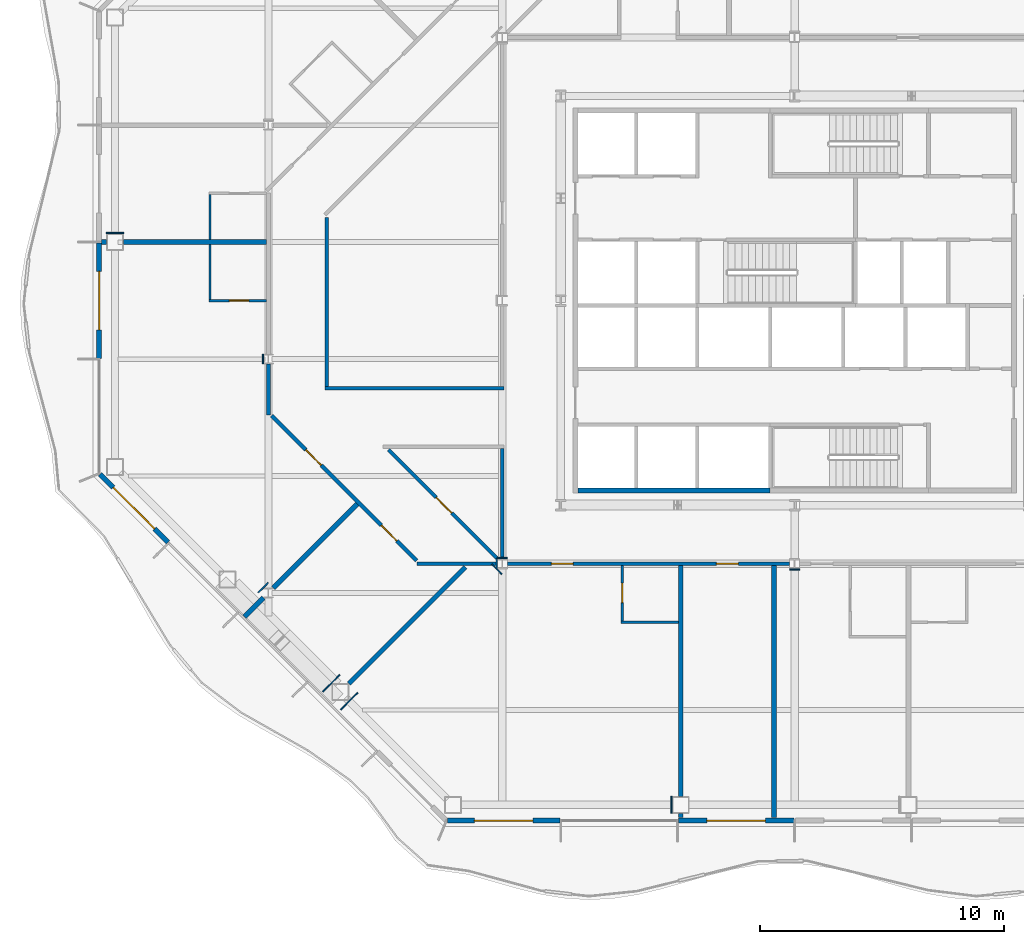
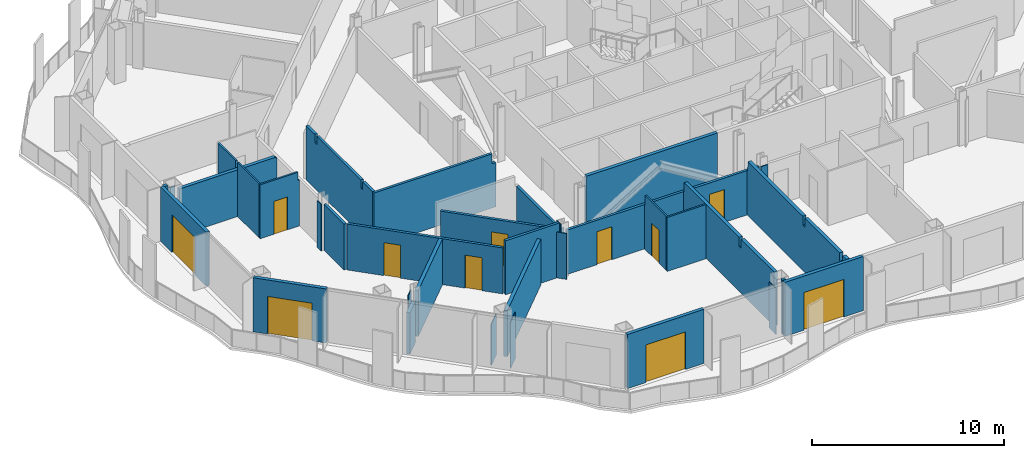
# One storey, part 7 of 21: 36 walls, 11 doors, 11 openings.
"""IFC4 building model written with IfcOpenShell, lengths in metres."""

from ifc_helpers import new_model, si_unit, direction, frame, frame_2d, origin, place, context, subcontext, project, spatial, polyline, rectangle, outline, extrude, material, layer, layer_set, type_object, element, fill, save


model = new_model("IFC4")

# Units and contexts
model_context = context("Model", 3, precision=1e-05, world=origin(), true_north=direction((0.0, 1.0)))
body_context = subcontext(model_context, "Body", "Model", "MODEL_VIEW")
ifc_project = project(units=[si_unit("LENGTHUNIT", "METRE"), si_unit("AREAUNIT", "SQUARE_METRE"), si_unit("VOLUMEUNIT", "CUBIC_METRE"), si_unit("PLANEANGLEUNIT", "RADIAN"), si_unit("MASSUNIT", "GRAM", prefix="KILO")], contexts=[model_context])

# Site, building, storey
site_placement = place(None, origin())
site = spatial("IfcSite", under=ifc_project, at=site_placement, CompositionType="ELEMENT")
building_placement = place(site_placement, origin())
building = spatial("IfcBuilding", under=site, at=building_placement, Name="Cairn Pilgrim Tower", CompositionType="ELEMENT")
storey_placement = place(building_placement, frame((0.0, 0.0, 129.0)))
storey = spatial("IfcBuildingStorey", under=building, at=storey_placement, Name="L31", CompositionType="ELEMENT", Elevation=129.0)

# Wall, opening, door
ifc_material_1 = material(Name="Bronze anodised aluminium insulated sandwich panel with mineral wool fill", Category="aluminium")
ifc_layer_1 = layer(ifc_material_1, 0.199951171875)
ifc_layer_set_1 = layer_set([ifc_layer_1], Name="BRONZE INFILL FRAME WALL 200")
wall_type_1 = type_object("IfcWallType", Name="BRONZE INFILL FRAME WALL 200", PredefinedType="NOTDEFINED", material=ifc_layer_set_1)
wall_1_placement = place(storey_placement, frame((-7.056396484375, -18.949951171875, 0.0), z_axis=(0.0, 0.0, 1.0), x_axis=(1.0, 0.0, 0.0)))
wall_1 = element("IfcWall", 1, at=wall_1_placement, inside=storey, type_object=wall_type_1, Name="Bronze infill frame wall IW-S1", PredefinedType="NOTDEFINED", context=body_context, shape_type="SweptSolid", body=[
    extrude(rectangle(XDim=4.62646484375, YDim=0.199951171875, at=frame_2d((2.313232421875, 0.0))), origin(), (0.0, 0.0, 1.0), 3.449951171875),
])
opening_1_placement = place(wall_1_placement, frame((1.1083984375, 0.0, 0.0)))
opening_1 = element("IfcOpeningElement", 2, at=opening_1_placement, cuts=wall_1, Name="Opening 3116B2", PredefinedType="OPENING", context=body_context, shape_type="SweptSolid", body=[
    extrude(rectangle(XDim=2.39990234375, YDim=2.39990234375, at=frame_2d((1.199951171875, 1.199951171875))), frame((0.0, 0.10986328125, 0.0), z_axis=(0.0, -1.0, 0.0), x_axis=(1.0, 0.0, 0.0)), (0.0, 0.0, 1.0), 0.219970703125),
])
ifc_material_2 = material(Name="Bronze anodised aluminium frame with tinted low-E glass", Category="aluminium")
door_type_1 = type_object("IfcDoorType", Name="BALCONY SLIDING DOOR 2400x2400", OperationType="DOUBLE_DOOR_SLIDING", PredefinedType="DOOR", material=ifc_material_2)
door_1_placement = place(opening_1_placement, origin())
door_1 = element("IfcDoor", 3, at=door_1_placement, inside=storey, type_object=door_type_1, Name="Balcony sliding door 3116B2", OperationType="SINGLE_SWING_LEFT", OverallHeight=2.39990234375, OverallWidth=2.39990234375, PredefinedType="DOOR", context=body_context, shape_type="SweptSolid", body=[
    extrude(rectangle(XDim=2.39990234375, YDim=2.39990234375, at=frame_2d((1.199951171875, 1.199951171875))), frame((0.0, 0.02490234375, 0.0), z_axis=(0.0, -1.0, 0.0), x_axis=(1.0, 0.0, 0.0)), (0.0, 0.0, 1.0), 0.050048828125),
])
fill(opening_1, door_1)

wall_2_placement = place(storey_placement, frame((2.429931640625, -18.949951171875, 0.0), z_axis=(0.0, 0.0, 1.0), x_axis=(1.0, 0.0, 0.0)))
wall_2 = element("IfcWall", 4, at=wall_2_placement, inside=storey, type_object=wall_type_1, Name="Bronze infill frame wall IW-S3", PredefinedType="NOTDEFINED", context=body_context, shape_type="SweptSolid", body=[
    extrude(rectangle(XDim=4.739990234375, YDim=0.199951171875, at=frame_2d((2.3701171875, 0.0))), origin(), (0.0, 0.0, 1.0), 3.449951171875),
])
opening_2_placement = place(wall_2_placement, frame((1.17041015625, 0.0, 0.0)))
opening_2 = element("IfcOpeningElement", 5, at=opening_2_placement, cuts=wall_2, Name="Opening 3117B", PredefinedType="OPENING", context=body_context, shape_type="SweptSolid", body=[
    extrude(rectangle(XDim=2.39990234375, YDim=2.39990234375, at=frame_2d((1.199951171875, 1.199951171875))), frame((0.0, 0.10986328125, 0.0), z_axis=(0.0, -1.0, 0.0), x_axis=(1.0, 0.0, 0.0)), (0.0, 0.0, 1.0), 0.219970703125),
])
door_2_placement = place(opening_2_placement, origin())
door_2 = element("IfcDoor", 6, at=door_2_placement, inside=storey, type_object=door_type_1, Name="Balcony sliding door 3117B", OperationType="SINGLE_SWING_LEFT", OverallHeight=2.39990234375, OverallWidth=2.39990234375, PredefinedType="DOOR", context=body_context, shape_type="SweptSolid", body=[
    extrude(rectangle(XDim=2.39990234375, YDim=2.39990234375, at=frame_2d((1.199951171875, 1.199951171875))), frame((0.0, 0.02490234375, 0.0), z_axis=(0.0, -1.0, 0.0), x_axis=(1.0, 0.0, 0.0)), (0.0, 0.0, 1.0), 0.050048828125),
])
fill(opening_2, door_2)

wall_3_placement = place(storey_placement, frame((-21.35009765625, 4.77001953125, 0.0), z_axis=(0.0, 0.0, 1.0), x_axis=(0.0, -1.0, 0.0)))
wall_3 = element("IfcWall", 7, at=wall_3_placement, inside=storey, type_object=wall_type_1, Name="Bronze infill frame wall IW-W3", PredefinedType="NOTDEFINED", context=body_context, shape_type="SweptSolid", body=[
    extrude(rectangle(XDim=4.739990234375, YDim=0.199951171875, at=frame_2d((2.3701171875, 0.0))), origin(), (0.0, 0.0, 1.0), 3.449951171875),
])
opening_3_placement = place(wall_3_placement, frame((1.169921875, 0.0, 0.0)))
opening_3 = element("IfcOpeningElement", 8, at=opening_3_placement, cuts=wall_3, Name="Opening 3114B", PredefinedType="OPENING", context=body_context, shape_type="SweptSolid", body=[
    extrude(rectangle(XDim=2.39990234375, YDim=2.39990234375, at=frame_2d((1.199951171875, 1.199951171875))), frame((0.0, 0.10986328125, 0.0), z_axis=(0.0, -1.0, 0.0), x_axis=(1.0, 0.0, 0.0)), (0.0, 0.0, 1.0), 0.219970703125),
])
door_3_placement = place(opening_3_placement, origin())
door_3 = element("IfcDoor", 9, at=door_3_placement, inside=storey, type_object=door_type_1, Name="Balcony sliding door 3114B", OperationType="SINGLE_SWING_LEFT", OverallHeight=2.39990234375, OverallWidth=2.39990234375, PredefinedType="DOOR", context=body_context, shape_type="SweptSolid", body=[
    extrude(rectangle(XDim=2.39990234375, YDim=2.39990234375, at=frame_2d((1.199951171875, 1.199951171875))), frame((0.0, 0.02490234375, 0.0), z_axis=(0.0, -1.0, 0.0), x_axis=(1.0, 0.0, 0.0)), (0.0, 0.0, 1.0), 0.050048828125),
])
fill(opening_3, door_3)

wall_4_placement = place(storey_placement, frame((-21.32177734375, -4.724609375, 0.0), z_axis=(0.0, 0.0, 1.0), x_axis=(0.707106781187, -0.707106781187, 0.0)))
wall_4 = element("IfcWall", 10, at=wall_4_placement, inside=storey, type_object=wall_type_1, Name="Bronze infill frame wall IW-SW1", PredefinedType="NOTDEFINED", context=body_context, shape_type="SweptSolid", body=[
    extrude(rectangle(XDim=3.961669921875, YDim=0.199951171875, at=frame_2d((1.98095703125, 0.0))), origin(), (0.0, 0.0, 1.0), 3.449951171875),
])
opening_4_placement = place(wall_4_placement, frame((0.775390625, 0.0, 0.0)))
opening_4 = element("IfcOpeningElement", 11, at=opening_4_placement, cuts=wall_4, Name="Opening 3114B2", PredefinedType="OPENING", context=body_context, shape_type="SweptSolid", body=[
    extrude(rectangle(XDim=2.39990234375, YDim=2.39990234375, at=frame_2d((1.199951171875, 1.199951171875))), frame((0.0, 0.10986328125, 0.0), z_axis=(0.0, -1.0, 0.0), x_axis=(1.0, 0.0, 0.0)), (0.0, 0.0, 1.0), 0.219970703125),
])
door_4_placement = place(opening_4_placement, origin())
door_4 = element("IfcDoor", 12, at=door_4_placement, inside=storey, type_object=door_type_1, Name="Balcony sliding door 3114B2", OperationType="SINGLE_SWING_LEFT", OverallHeight=2.39990234375, OverallWidth=2.39990234375, PredefinedType="DOOR", context=body_context, shape_type="SweptSolid", body=[
    extrude(rectangle(XDim=2.39990234375, YDim=2.39990234375, at=frame_2d((1.199951171875, 1.199951171875))), frame((0.0, 0.02490234375, 0.0), z_axis=(0.0, -1.0, 0.0), x_axis=(1.0, 0.0, 0.0)), (0.0, 0.0, 1.0), 0.050048828125),
])
fill(opening_4, door_4)

# Walls
ifc_material_3 = material(Name="Concrete C32/40", Category="concrete")
ifc_layer_2 = layer(ifc_material_3, 0.199951171875)
ifc_layer_set_2 = layer_set([ifc_layer_2], Name="CORE OUTER WALL 200 EI 120")
wall_type_2 = type_object("IfcWallType", Name="CORE OUTER WALL 200 EI 120", PredefinedType="SOLIDWALL", material=ifc_layer_set_2)
wall_5_placement = place(storey_placement, frame((-1.699951171875, -5.39990234375, 0.0), z_axis=(0.0, 0.0, 1.0), x_axis=(1.0, 0.0, 0.0)))
element("IfcWall", 13, at=wall_5_placement, inside=storey, type_object=wall_type_2, Name="CW:L31:H01-1", PredefinedType="SOLIDWALL", context=body_context, shape_type="SweptSolid", body=[
    extrude(rectangle(XDim=7.89990234375, YDim=0.199951171875, at=frame_2d((3.949951171875, 0.0))), origin(), (0.0, 0.0, 1.0), 3.449951171875),
])
ifc_material_4 = material(Name="Gypsum partition")
ifc_layer_3 = layer(ifc_material_4, 0.10009765625)
ifc_layer_set_3 = layer_set([ifc_layer_3], Name="PARTITION 100 DRYWALL")
wall_type_3 = type_object("IfcWallType", Name="PARTITION 100 DRYWALL", PredefinedType="PARTITIONING", material=ifc_layer_set_3)
wall_6_placement = place(storey_placement, frame((0.073974609375, -10.800048828125, 0.0), z_axis=(0.0, 0.0, 1.0), x_axis=(1.0, 0.0, 0.0)))
element("IfcWall", 14, at=wall_6_placement, inside=storey, type_object=wall_type_3, Name="PARTITION W010", PredefinedType="PARTITIONING", context=body_context, shape_type="SweptSolid", body=[
    extrude(rectangle(XDim=2.35009765625, YDim=0.10009765625, at=frame_2d((1.175048828125, 0.0))), origin(), (0.0, 0.0, 1.0), 3.449951171875),
])

# Wall, opening, door
wall_7_placement = place(storey_placement, frame((0.1240234375, -10.75, 0.0), z_axis=(0.0, 0.0, 1.0), x_axis=(0.0, 1.0, 0.0)))
wall_7 = element("IfcWall", 15, at=wall_7_placement, inside=storey, type_object=wall_type_3, Name="PARTITION W011", PredefinedType="PARTITIONING", context=body_context, shape_type="SweptSolid", body=[
    extrude(outline(polyline([(0.0, 0.0), (2.27490234375, 0.0), (2.27490234375, 2.830078125), (2.199951171875, 2.830078125), (2.197998046875, 3.449951171875), (0.0, 3.449951171875), (0.0, 0.0)])), frame((0.0, 0.050048828125, 0.0), z_axis=(0.0, -1.0, 0.0), x_axis=(1.0, 0.0, 0.0)), (0.0, 0.0, 1.0), 0.10009765625),
])
opening_5_placement = place(wall_7_placement, frame((0.75, 0.0, 0.0)))
opening_5 = element("IfcOpeningElement", 16, at=opening_5_placement, cuts=wall_7, Name="Opening 3116A", PredefinedType="OPENING", context=body_context, shape_type="SweptSolid", body=[
    extrude(rectangle(XDim=0.800048828125, YDim=2.10009765625, at=frame_2d((0.39990234375, 1.050048828125))), frame((0.0, 0.06005859375, 0.0), z_axis=(0.0, -1.0, 0.0), x_axis=(1.0, 0.0, 0.0)), (0.0, 0.0, 1.0), 0.1201171875),
])
ifc_material_5 = material(Name="Timber door leaf", Category="wood")
door_type_2 = type_object("IfcDoorType", Name="WC DOOR 800x2100", OperationType="NOTDEFINED", PredefinedType="DOOR", material=ifc_material_5)
door_5_placement = place(opening_5_placement, origin())
door_5 = element("IfcDoor", 17, at=door_5_placement, inside=storey, type_object=door_type_2, Name="DOOR 3116A", OperationType="SINGLE_SWING_RIGHT", OverallHeight=2.10009765625, OverallWidth=0.800048828125, PredefinedType="DOOR", context=body_context, shape_type="SweptSolid", body=[
    extrude(rectangle(XDim=0.800048828125, YDim=2.10009765625, at=frame_2d((0.39990234375, 1.050048828125))), frame((0.0, 0.02490234375, 0.0), z_axis=(0.0, -1.0, 0.0), x_axis=(1.0, 0.0, 0.0)), (0.0, 0.0, 1.0), 0.050048828125),
])
fill(opening_5, door_5)

wall_8_placement = place(storey_placement, frame((-16.85009765625, 2.39990234375, 0.0), z_axis=(0.0, 0.0, 1.0), x_axis=(1.0, 0.0, 0.0)))
wall_8 = element("IfcWall", 18, at=wall_8_placement, inside=storey, type_object=wall_type_3, Name="PARTITION W044", PredefinedType="PARTITIONING", context=body_context, shape_type="SweptSolid", body=[
    extrude(outline(polyline([(0.0, 0.0), (2.375, 0.0), (2.375, 2.929931640625), (2.300048828125, 2.929931640625), (2.298095703125, 3.449951171875), (0.0, 3.449951171875), (0.0, 0.0)])), frame((0.0, 0.050048828125, 0.0), z_axis=(0.0, -1.0, 0.0), x_axis=(1.0, 0.0, 0.0)), (0.0, 0.0, 1.0), 0.10009765625),
])
opening_6_placement = place(wall_8_placement, frame((0.85009765625, 0.0, 0.0)))
opening_6 = element("IfcOpeningElement", 19, at=opening_6_placement, cuts=wall_8, Name="Opening 3114A", PredefinedType="OPENING", context=body_context, shape_type="SweptSolid", body=[
    extrude(rectangle(XDim=0.800048828125, YDim=2.10009765625, at=frame_2d((0.39990234375, 1.050048828125))), frame((0.0, 0.06005859375, 0.0), z_axis=(0.0, -1.0, 0.0), x_axis=(1.0, 0.0, 0.0)), (0.0, 0.0, 1.0), 0.1201171875),
])
door_6_placement = place(opening_6_placement, frame((0.800048828125, 0.0, 0.0), z_axis=(0.0, 0.0, 1.0), x_axis=(-1.0, 0.0, 0.0)))
door_6 = element("IfcDoor", 20, at=door_6_placement, inside=storey, type_object=door_type_2, Name="DOOR 3114A", OperationType="SINGLE_SWING_RIGHT", OverallHeight=2.10009765625, OverallWidth=0.800048828125, PredefinedType="DOOR", context=body_context, shape_type="SweptSolid", body=[
    extrude(rectangle(XDim=0.800048828125, YDim=2.10009765625, at=frame_2d((0.39990234375, 1.050048828125))), frame((0.0, 0.02490234375, 0.0), z_axis=(0.0, -1.0, 0.0), x_axis=(1.0, 0.0, 0.0)), (0.0, 0.0, 1.0), 0.050048828125),
])
fill(opening_6, door_6)

# Walls
wall_9_placement = place(storey_placement, frame((-16.800048828125, 2.449951171875, 0.0), z_axis=(0.0, 0.0, 1.0), x_axis=(0.0, 1.0, 0.0)))
element("IfcWall", 21, at=wall_9_placement, inside=storey, type_object=wall_type_3, Name="PARTITION W045", PredefinedType="PARTITIONING", context=body_context, shape_type="SweptSolid", body=[
    extrude(rectangle(XDim=2.25, YDim=0.10009765625, at=frame_2d((1.125, 0.0))), origin(), (0.0, 0.0, 1.0), 3.449951171875),
])
wall_10_placement = place(storey_placement, frame((-16.800048828125, 4.89990234375, 0.0), z_axis=(0.0, 0.0, 1.0), x_axis=(0.0, 1.0, 0.0)))
element("IfcWall", 22, at=wall_10_placement, inside=storey, type_object=wall_type_3, Name="PARTITION W055", PredefinedType="PARTITIONING", context=body_context, shape_type="SweptSolid", body=[
    extrude(rectangle(XDim=1.85009765625, YDim=0.10009765625, at=frame_2d((0.925048828125, 0.0))), origin(), (0.0, 0.0, 1.0), 3.449951171875),
])
ifc_layer_4 = layer(ifc_material_4, 0.14990234375)
ifc_layer_set_4 = layer_set([ifc_layer_4], Name="PARTITION 150 DRYWALL EI 60")
wall_type_4 = type_object("IfcWallType", Name="PARTITION 150 DRYWALL EI 60", PredefinedType="PARTITIONING", material=ifc_layer_set_4)
wall_11_placement = place(storey_placement, frame((-8.300048828125, -8.39990234375, 0.0), z_axis=(0.0, 0.0, 1.0), x_axis=(1.0, 0.0, 0.0)))
element("IfcWall", 23, at=wall_11_placement, inside=storey, type_object=wall_type_4, Name="PARTITION W017", PredefinedType="PARTITIONING", context=body_context, shape_type="SweptSolid", body=[
    extrude(rectangle(XDim=3.295654296875, YDim=0.14990234375, at=frame_2d((1.64794921875, 0.0))), origin(), (0.0, 0.0, 1.0), 3.449951171875),
])

# Wall, openings, doors
wall_12_placement = place(storey_placement, frame((-4.595458984375, -8.39990234375, 0.0), z_axis=(0.0, 0.0, 1.0), x_axis=(1.0, 0.0, 0.0)))
wall_12 = element("IfcWall", 24, at=wall_12_placement, inside=storey, type_object=wall_type_4, Name="PARTITION W018", PredefinedType="PARTITIONING", context=body_context, shape_type="SweptSolid", body=[
    extrude(rectangle(XDim=11.591064453125, YDim=0.14990234375, at=frame_2d((5.79541015625, 0.0))), origin(), (0.0, 0.0, 1.0), 2.830078125),
])
opening_7_placement = place(wall_12_placement, frame((1.807373046875, 0.0, 0.0)))
opening_7 = element("IfcOpeningElement", 25, at=opening_7_placement, cuts=wall_12, Name="Opening 3116", PredefinedType="OPENING", context=body_context, shape_type="SweptSolid", body=[
    extrude(rectangle(XDim=0.89990234375, YDim=2.10009765625, at=frame_2d((0.449951171875, 1.050048828125))), frame((0.0, 0.0849609375, 0.0), z_axis=(0.0, -1.0, 0.0), x_axis=(1.0, 0.0, 0.0)), (0.0, 0.0, 1.0), 0.169921875),
])
opening_8_placement = place(wall_12_placement, frame((8.58642578125, 0.0, 0.0)))
opening_8 = element("IfcOpeningElement", 26, at=opening_8_placement, cuts=wall_12, Name="Opening 3117", PredefinedType="OPENING", context=body_context, shape_type="SweptSolid", body=[
    extrude(rectangle(XDim=0.89990234375, YDim=2.10009765625, at=frame_2d((0.449951171875, 1.050048828125))), frame((0.0, 0.0849609375, 0.0), z_axis=(0.0, -1.0, 0.0), x_axis=(1.0, 0.0, 0.0)), (0.0, 0.0, 1.0), 0.169921875),
])
door_type_3 = type_object("IfcDoorType", Name="ROOM DOOR 900x2100 FD30S", OperationType="NOTDEFINED", PredefinedType="DOOR", material=ifc_material_5)
door_7_placement = place(opening_7_placement, frame((0.89990234375, 0.0, 0.0), z_axis=(0.0, 0.0, 1.0), x_axis=(-1.0, 0.0, 0.0)))
door_7 = element("IfcDoor", 27, at=door_7_placement, inside=storey, type_object=door_type_3, Name="DOOR 3116", OperationType="SINGLE_SWING_RIGHT", OverallHeight=2.10009765625, OverallWidth=0.89990234375, PredefinedType="DOOR", context=body_context, shape_type="SweptSolid", body=[
    extrude(rectangle(XDim=0.89990234375, YDim=2.10009765625, at=frame_2d((0.449951171875, 1.050048828125))), frame((0.0, 0.02490234375, 0.0), z_axis=(0.0, -1.0, 0.0), x_axis=(1.0, 0.0, 0.0)), (0.0, 0.0, 1.0), 0.050048828125),
])
fill(opening_7, door_7)
door_8_placement = place(opening_8_placement, frame((0.89990234375, 0.0, 0.0), z_axis=(0.0, 0.0, 1.0), x_axis=(-1.0, 0.0, 0.0)))
door_8 = element("IfcDoor", 28, at=door_8_placement, inside=storey, type_object=door_type_3, Name="DOOR 3117", OperationType="SINGLE_SWING_RIGHT", OverallHeight=2.10009765625, OverallWidth=0.89990234375, PredefinedType="DOOR", context=body_context, shape_type="SweptSolid", body=[
    extrude(rectangle(XDim=0.89990234375, YDim=2.10009765625, at=frame_2d((0.449951171875, 1.050048828125))), frame((0.0, 0.02490234375, 0.0), z_axis=(0.0, -1.0, 0.0), x_axis=(1.0, 0.0, 0.0)), (0.0, 0.0, 1.0), 0.050048828125),
])
fill(opening_8, door_8)

wall_13_placement = place(storey_placement, frame((-8.322021484375, -8.27197265625, 0.0), z_axis=(0.0, 0.0, 1.0), x_axis=(-0.707106781187, 0.707106781187, 0.0)))
wall_13 = element("IfcWall", 29, at=wall_13_placement, inside=storey, type_object=wall_type_4, Name="PARTITION W021", PredefinedType="PARTITIONING", context=body_context, shape_type="SweptSolid", body=[
    extrude(rectangle(XDim=8.41455078125, YDim=0.14990234375, at=frame_2d((4.207275390625, 0.0))), origin(), (0.0, 0.0, 1.0), 2.929931640625),
])
opening_9_placement = place(wall_13_placement, frame((5.526611328125, 0.0, 0.0)))
opening_9 = element("IfcOpeningElement", 30, at=opening_9_placement, cuts=wall_13, Name="Opening 3114", PredefinedType="OPENING", context=body_context, shape_type="SweptSolid", body=[
    extrude(rectangle(XDim=0.89990234375, YDim=2.10009765625, at=frame_2d((0.449951171875, 1.050048828125))), frame((0.0, 0.0849609375, 0.0), z_axis=(0.0, -1.0, 0.0), x_axis=(1.0, 0.0, 0.0)), (0.0, 0.0, 1.0), 0.169921875),
])
opening_10_placement = place(wall_13_placement, frame((1.138916015625, 0.0, 0.0)))
opening_10 = element("IfcOpeningElement", 31, at=opening_10_placement, cuts=wall_13, Name="Opening 3115", PredefinedType="OPENING", context=body_context, shape_type="SweptSolid", body=[
    extrude(rectangle(XDim=0.89990234375, YDim=2.10009765625, at=frame_2d((0.449951171875, 1.050048828125))), frame((0.0, 0.0849609375, 0.0), z_axis=(0.0, -1.0, 0.0), x_axis=(1.0, 0.0, 0.0)), (0.0, 0.0, 1.0), 0.169921875),
])
door_9_placement = place(opening_9_placement, origin())
door_9 = element("IfcDoor", 32, at=door_9_placement, inside=storey, type_object=door_type_3, Name="DOOR 3114", OperationType="SINGLE_SWING_RIGHT", OverallHeight=2.10009765625, OverallWidth=0.89990234375, PredefinedType="DOOR", context=body_context, shape_type="SweptSolid", body=[
    extrude(rectangle(XDim=0.89990234375, YDim=2.10009765625, at=frame_2d((0.449951171875, 1.050048828125))), frame((0.0, 0.02490234375, 0.0), z_axis=(0.0, -1.0, 0.0), x_axis=(1.0, 0.0, 0.0)), (0.0, 0.0, 1.0), 0.050048828125),
])
fill(opening_9, door_9)
door_type_4 = type_object("IfcDoorType", Name="SERVICE DOOR 900x2100 FD30S", OperationType="NOTDEFINED", PredefinedType="DOOR", material=ifc_material_5)
door_10_placement = place(opening_10_placement, origin())
door_10 = element("IfcDoor", 33, at=door_10_placement, inside=storey, type_object=door_type_4, Name="DOOR 3115", OperationType="SINGLE_SWING_RIGHT", OverallHeight=2.10009765625, OverallWidth=0.89990234375, PredefinedType="DOOR", context=body_context, shape_type="SweptSolid", body=[
    extrude(rectangle(XDim=0.89990234375, YDim=2.10009765625, at=frame_2d((0.449951171875, 1.050048828125))), frame((0.0, 0.02490234375, 0.0), z_axis=(0.0, -1.0, 0.0), x_axis=(1.0, 0.0, 0.0)), (0.0, 0.0, 1.0), 0.050048828125),
])
fill(opening_10, door_10)

# Wall, opening, door
wall_14_placement = place(storey_placement, frame((-5.008544921875, -8.19140625, 0.0), z_axis=(0.0, 0.0, 1.0), x_axis=(-0.707106781187, 0.707106781187, 0.0)))
wall_14 = element("IfcWall", 34, at=wall_14_placement, inside=storey, type_object=wall_type_4, Name="PARTITION W023", PredefinedType="PARTITIONING", context=body_context, shape_type="SweptSolid", body=[
    extrude(rectangle(XDim=6.312255859375, YDim=0.14990234375, at=frame_2d((3.15625, 0.0))), origin(), (0.0, 0.0, 1.0), 2.929931640625),
])
opening_11_placement = place(wall_14_placement, frame((2.6494140625, 0.0, 0.0)))
opening_11 = element("IfcOpeningElement", 35, at=opening_11_placement, cuts=wall_14, Name="Opening 3125", PredefinedType="OPENING", context=body_context, shape_type="SweptSolid", body=[
    extrude(rectangle(XDim=0.89990234375, YDim=2.10009765625, at=frame_2d((0.449951171875, 1.050048828125))), frame((0.0, 0.0849609375, 0.0), z_axis=(0.0, -1.0, 0.0), x_axis=(1.0, 0.0, 0.0)), (0.0, 0.0, 1.0), 0.169921875),
])
door_11_placement = place(opening_11_placement, frame((0.89990234375, 0.0, 0.0), z_axis=(0.0, 0.0, 1.0), x_axis=(-1.0, 0.0, 0.0)))
door_11 = element("IfcDoor", 36, at=door_11_placement, inside=storey, type_object=door_type_4, Name="DOOR 3125", OperationType="SINGLE_SWING_LEFT", OverallHeight=2.10009765625, OverallWidth=0.89990234375, PredefinedType="DOOR", context=body_context, shape_type="SweptSolid", body=[
    extrude(rectangle(XDim=0.89990234375, YDim=2.10009765625, at=frame_2d((0.449951171875, 1.050048828125))), frame((0.0, 0.02490234375, 0.0), z_axis=(0.0, -1.0, 0.0), x_axis=(1.0, 0.0, 0.0)), (0.0, 0.0, 1.0), 0.050048828125),
])
fill(opening_11, door_11)

# Walls
wall_15_placement = place(storey_placement, frame((-4.800048828125, -8.1875, 0.0), z_axis=(0.0, 0.0, 1.0), x_axis=(0.0, 1.0, 0.0)))
element("IfcWall", 37, at=wall_15_placement, inside=storey, type_object=wall_type_4, Name="PARTITION W024", PredefinedType="PARTITIONING", context=body_context, shape_type="SweptSolid", body=[
    extrude(rectangle(XDim=4.512451171875, YDim=0.14990234375, at=frame_2d((2.25634765625, 0.0))), origin(), (0.0, 0.0, 1.0), 2.830078125),
])
wall_16_placement = place(storey_placement, frame((-14.39990234375, -2.300048828125, 0.0), z_axis=(0.0, 0.0, 1.0), x_axis=(0.0, 1.0, 0.0)))
element("IfcWall", 38, at=wall_16_placement, inside=storey, type_object=wall_type_4, Name="PARTITION W031", PredefinedType="PARTITIONING", context=body_context, shape_type="SweptSolid", body=[
    extrude(rectangle(XDim=2.103515625, YDim=0.14990234375, at=frame_2d((1.0517578125, 0.0))), origin(), (0.0, 0.0, 1.0), 2.929931640625),
])
wall_17_placement = place(storey_placement, frame((-12.074951171875, -1.199951171875, 0.0), z_axis=(0.0, 0.0, 1.0), x_axis=(1.0, 0.0, 0.0)))
element("IfcWall", 39, at=wall_17_placement, inside=storey, type_object=wall_type_4, Name="PARTITION W032", PredefinedType="PARTITIONING", context=body_context, shape_type="SweptSolid", body=[
    extrude(outline(polyline([(0.0, 0.0), (7.349853515625, 0.0), (7.35009765625, 2.830078125), (7.125, 2.830078125), (7.123046875, 3.449951171875), (0.0, 3.449951171875), (0.0, 0.0)])), frame((0.0, 0.074951171875, 0.0), z_axis=(0.0, -1.0, 0.0), x_axis=(1.0, 0.0, 0.0)), (0.0, 0.0, 1.0), 0.14990234375),
])
wall_18_placement = place(storey_placement, frame((-12.0, -1.125, 0.0), z_axis=(0.0, 0.0, 1.0), x_axis=(0.0, 1.0, 0.0)))
element("IfcWall", 40, at=wall_18_placement, inside=storey, type_object=wall_type_4, Name="PARTITION W034", PredefinedType="PARTITIONING", context=body_context, shape_type="SweptSolid", body=[
    extrude(outline(polyline([(0.0, 0.0), (6.94384765625, 0.0), (6.94384765625, 3.449951171875), (6.02490234375, 3.449951171875), (6.02294921875, 2.929931640625), (5.824951171875, 2.929931640625), (5.822998046875, 3.449951171875), (1.22509765625, 3.449951171875), (1.222900390625, 2.929931640625), (1.02490234375, 2.929931640625), (1.02294921875, 3.449951171875), (0.0, 3.449951171875), (0.0, 0.0)])), frame((0.0, 0.074951171875, 0.0), z_axis=(0.0, -1.0, 0.0), x_axis=(1.0, 0.0, 0.0)), (0.0, 0.0, 1.0), 0.14990234375),
])
ifc_layer_5 = layer(ifc_material_4, 0.050048828125)
ifc_layer_set_5 = layer_set([ifc_layer_5], Name="PARTITION 50 DRYWALL EI 60")
wall_type_5 = type_object("IfcWallType", Name="PARTITION 50 DRYWALL EI 60", PredefinedType="PARTITIONING", material=ifc_layer_set_5)
wall_19_placement = place(storey_placement, frame((2.1494140625, -18.64990234375, 0.0), z_axis=(0.0, 0.0, 1.0), x_axis=(0.0, 1.0, 0.0)))
element("IfcWall", 41, at=wall_19_placement, inside=storey, type_object=wall_type_5, Name="COLUMN CASING WC01", PredefinedType="PARTITIONING", context=body_context, shape_type="SweptSolid", body=[
    extrude(rectangle(XDim=0.699951171875, YDim=0.050048828125, at=frame_2d((0.35009765625, 0.0))), origin(), (0.0, 0.0, 1.0), 2.929931640625),
])
wall_20_placement = place(storey_placement, frame((-12.169189453125, -13.657958984375, 0.0), z_axis=(0.0, 0.0, 1.0), x_axis=(0.707106781187, 0.707106781187, 0.0)))
element("IfcWall", 42, at=wall_20_placement, inside=storey, type_object=wall_type_5, Name="COLUMN CASING WC03", PredefinedType="PARTITIONING", context=body_context, shape_type="SweptSolid", body=[
    extrude(rectangle(XDim=0.989990234375, YDim=0.050048828125, at=frame_2d((0.4951171875, 0.0))), origin(), (0.0, 0.0, 1.0), 2.6298828125),
])
wall_21_placement = place(storey_placement, frame((-11.433837890625, -14.393310546875, 0.0), z_axis=(0.0, 0.0, 1.0), x_axis=(0.707106781187, 0.707106781187, 0.0)))
element("IfcWall", 43, at=wall_21_placement, inside=storey, type_object=wall_type_5, Name="COLUMN CASING WC04", PredefinedType="PARTITIONING", context=body_context, shape_type="SweptSolid", body=[
    extrude(rectangle(XDim=0.989990234375, YDim=0.050048828125, at=frame_2d((0.4951171875, 0.0))), origin(), (0.0, 0.0, 1.0), 2.929931640625),
])
wall_22_placement = place(storey_placement, frame((-14.813720703125, -9.582275390625, 0.0), z_axis=(0.0, 0.0, 1.0), x_axis=(0.707106781187, 0.707106781187, 0.0)))
element("IfcWall", 44, at=wall_22_placement, inside=storey, type_object=wall_type_5, Name="COLUMN CASING WC07", PredefinedType="PARTITIONING", context=body_context, shape_type="SweptSolid", body=[
    extrude(rectangle(XDim=0.56005859375, YDim=0.050048828125, at=frame_2d((0.280029296875, 0.0))), origin(), (0.0, 0.0, 1.0), 2.929931640625),
])
wall_23_placement = place(storey_placement, frame((-5.00439453125, -8.16259765625, 0.0), z_axis=(0.0, 0.0, 1.0), x_axis=(1.0, 0.0, 0.0)))
element("IfcWall", 45, at=wall_23_placement, inside=storey, type_object=wall_type_5, Name="COLUMN CASING WC10", PredefinedType="PARTITIONING", context=body_context, shape_type="SweptSolid", body=[
    extrude(rectangle(XDim=0.408935546875, YDim=0.050048828125, at=frame_2d((0.20458984375, 0.0))), origin(), (0.0, 0.0, 1.0), 2.830078125),
])
wall_24_placement = place(storey_placement, frame((6.99560546875, -8.637451171875, 0.0), z_axis=(0.0, 0.0, 1.0), x_axis=(1.0, 0.0, 0.0)))
element("IfcWall", 46, at=wall_24_placement, inside=storey, type_object=wall_type_5, Name="COLUMN CASING WC11", PredefinedType="PARTITIONING", context=body_context, shape_type="SweptSolid", body=[
    extrude(rectangle(XDim=0.408935546875, YDim=0.050048828125, at=frame_2d((0.20458984375, 0.0))), origin(), (0.0, 0.0, 1.0), 2.929931640625),
])
wall_25_placement = place(storey_placement, frame((-4.817626953125, -8.834716796875, 0.0), z_axis=(0.0, 0.0, 1.0), x_axis=(-0.707106781187, 0.707106781187, 0.0)))
element("IfcWall", 47, at=wall_25_placement, inside=storey, type_object=wall_type_5, Name="COLUMN CASING WC13", PredefinedType="PARTITIONING", context=body_context, shape_type="SweptSolid", body=[
    extrude(rectangle(XDim=0.589599609375, YDim=0.050048828125, at=frame_2d((0.294921875, 0.0))), origin(), (0.0, 0.0, 1.0), 2.929931640625),
])
wall_26_placement = place(storey_placement, frame((-5.029541015625, -8.612548828125, 0.0), z_axis=(0.0, 0.0, 1.0), x_axis=(0.0, 1.0, 0.0)))
element("IfcWall", 48, at=wall_26_placement, inside=storey, type_object=wall_type_5, Name="COLUMN CASING WC14", PredefinedType="PARTITIONING", context=body_context, shape_type="SweptSolid", body=[
    extrude(rectangle(XDim=0.425048828125, YDim=0.050048828125, at=frame_2d((0.21240234375, 0.0))), origin(), (0.0, 0.0, 1.0), 3.449951171875),
])
wall_27_placement = place(storey_placement, frame((-14.62451171875, -0.196533203125, 0.0), z_axis=(0.0, 0.0, 1.0), x_axis=(0.0, 1.0, 0.0)))
element("IfcWall", 49, at=wall_27_placement, inside=storey, type_object=wall_type_5, Name="COLUMN CASING WC18", PredefinedType="PARTITIONING", context=body_context, shape_type="SweptSolid", body=[
    extrude(rectangle(XDim=0.39306640625, YDim=0.050048828125, at=frame_2d((0.196533203125, 0.0))), origin(), (0.0, 0.0, 1.0), 2.97998046875),
])
wall_28_placement = place(storey_placement, frame((-21.050048828125, 5.175048828125, 0.0), z_axis=(0.0, 0.0, 1.0), x_axis=(1.0, 0.0, 0.0)))
element("IfcWall", 50, at=wall_28_placement, inside=storey, type_object=wall_type_5, Name="COLUMN CASING WC25", PredefinedType="PARTITIONING", context=body_context, shape_type="SweptSolid", body=[
    extrude(rectangle(XDim=0.699951171875, YDim=0.050048828125, at=frame_2d((0.35009765625, 0.0))), origin(), (0.0, 0.0, 1.0), 2.929931640625),
])
ifc_layer_6 = layer(ifc_material_4, 0.199951171875)
ifc_layer_set_6 = layer_set([ifc_layer_6], Name="SHAFT WALL 200 GYPSUM EI 60")
wall_type_6 = type_object("IfcWallType", Name="SHAFT WALL 200 GYPSUM EI 60", PredefinedType="PARTITIONING", material=ifc_layer_set_6)
wall_29_placement = place(storey_placement, frame((2.52392578125, -18.820068359375, 0.0), z_axis=(0.0, 0.0, 1.0), x_axis=(0.0, 1.0, 0.0)))
element("IfcWall", 51, at=wall_29_placement, inside=storey, type_object=wall_type_6, Name="PARTITION W001", PredefinedType="PARTITIONING", context=body_context, shape_type="SweptSolid", body=[
    extrude(rectangle(XDim=0.170166015625, YDim=0.199951171875, at=frame_2d((0.0849609375, 0.0))), origin(), (0.0, 0.0, 1.0), 3.449951171875),
])
wall_30_placement = place(storey_placement, frame((6.35791015625, -18.820068359375, 0.0), z_axis=(0.0, 0.0, 1.0), x_axis=(0.0, 1.0, 0.0)))
element("IfcWall", 52, at=wall_30_placement, inside=storey, type_object=wall_type_6, Name="PARTITION W002", PredefinedType="PARTITIONING", context=body_context, shape_type="SweptSolid", body=[
    extrude(outline(polyline([(0.0, 0.0), (10.344970703125, 0.0), (10.344970703125, 2.830078125), (10.27001953125, 2.830078125), (10.26806640625, 3.449951171875), (4.52490234375, 3.449951171875), (4.52294921875, 2.8798828125), (4.31494140625, 2.8798828125), (4.31298828125, 3.449951171875), (0.669921875, 3.449951171875), (0.66796875, 2.929931640625), (0.3701171875, 2.929931640625), (0.367919921875, 3.449951171875), (0.0, 3.449951171875), (0.0, 0.0)])), frame((0.0, 0.10009765625, 0.0), z_axis=(0.0, -1.0, 0.0), x_axis=(1.0, 0.0, 0.0)), (0.0, 0.0, 1.0), 0.199951171875),
])
wall_31_placement = place(storey_placement, frame((2.52392578125, -17.949951171875, 0.0), z_axis=(0.0, 0.0, 1.0), x_axis=(0.0, 1.0, 0.0)))
element("IfcWall", 53, at=wall_31_placement, inside=storey, type_object=wall_type_6, Name="PARTITION W004", PredefinedType="PARTITIONING", context=body_context, shape_type="SweptSolid", body=[
    extrude(outline(polyline([(0.0, 0.0), (9.474853515625, 0.0), (9.47509765625, 2.830078125), (9.39990234375, 2.830078125), (9.39794921875, 3.449951171875), (3.655029296875, 3.449951171875), (3.653076171875, 2.8798828125), (3.445068359375, 2.8798828125), (3.443115234375, 3.449951171875), (0.0, 3.449951171875), (0.0, 0.0)])), frame((0.0, 0.10009765625, 0.0), z_axis=(0.0, -1.0, 0.0), x_axis=(1.0, 0.0, 0.0)), (0.0, 0.0, 1.0), 0.199951171875),
])
wall_32_placement = place(storey_placement, frame((-11.1015625, -13.32568359375, 0.0), z_axis=(0.0, 0.0, 1.0), x_axis=(0.707088722709, 0.707124839203, 0.0)))
element("IfcWall", 54, at=wall_32_placement, inside=storey, type_object=wall_type_6, Name="PARTITION W006", PredefinedType="PARTITIONING", context=body_context, shape_type="SweptSolid", body=[
    extrude(rectangle(XDim=6.759765625, YDim=0.199951171875, at=frame_2d((3.3798828125, 0.0))), origin(), (0.0, 0.0, 1.0), 2.929931640625),
])
wall_33_placement = place(storey_placement, frame((-15.380859375, -10.580810546875, 0.0), z_axis=(0.0, 0.0, 1.0), x_axis=(0.707217034054, 0.706996511125, 0.0)))
element("IfcWall", 55, at=wall_33_placement, inside=storey, type_object=wall_type_6, Name="PARTITION W014", PredefinedType="PARTITIONING", context=body_context, shape_type="SweptSolid", body=[
    extrude(rectangle(XDim=1.107177734375, YDim=0.199951171875, at=frame_2d((0.5537109375, 0.0))), origin(), (0.0, 0.0, 1.0), 2.6298828125),
])
wall_34_placement = place(storey_placement, frame((-14.201904296875, -9.402099609375, 0.0), z_axis=(0.0, 0.0, 1.0), x_axis=(0.707081776084, 0.707131785404, 0.0)))
element("IfcWall", 56, at=wall_34_placement, inside=storey, type_object=wall_type_6, Name="PARTITION W015", PredefinedType="PARTITIONING", context=body_context, shape_type="SweptSolid", body=[
    extrude(rectangle(XDim=4.8818359375, YDim=0.199951171875, at=frame_2d((2.44091796875, 0.0))), origin(), (0.0, 0.0, 1.0), 2.929931640625),
])
wall_35_placement = place(storey_placement, frame((-21.25, 4.800048828125, 0.0), z_axis=(0.0, 0.0, 1.0), x_axis=(1.0, 0.0, 0.0)))
element("IfcWall", 57, at=wall_35_placement, inside=storey, type_object=wall_type_6, Name="PARTITION W051", PredefinedType="PARTITIONING", context=body_context, shape_type="SweptSolid", body=[
    extrude(rectangle(XDim=0.199951171875, YDim=0.199951171875, at=frame_2d((0.10009765625, 0.0))), origin(), (0.0, 0.0, 1.0), 3.449951171875),
])
wall_36_placement = place(storey_placement, frame((-20.35009765625, 4.800048828125, 0.0), z_axis=(0.0, 0.0, 1.0), x_axis=(1.0, 0.0, 0.0)))
element("IfcWall", 58, at=wall_36_placement, inside=storey, type_object=wall_type_6, Name="PARTITION W052", PredefinedType="PARTITIONING", context=body_context, shape_type="SweptSolid", body=[
    extrude(outline(polyline([(0.0, 0.0), (5.875, 0.0), (5.875, 2.929931640625), (5.800048828125, 2.929931640625), (5.798095703125, 2.97998046875), (0.0, 2.97998046875), (0.0, 0.0)])), frame((0.0, 0.10009765625, 0.0), z_axis=(0.0, -1.0, 0.0), x_axis=(1.0, 0.0, 0.0)), (0.0, 0.0, 1.0), 0.199951171875),
])

save(model, "model.ifc")
